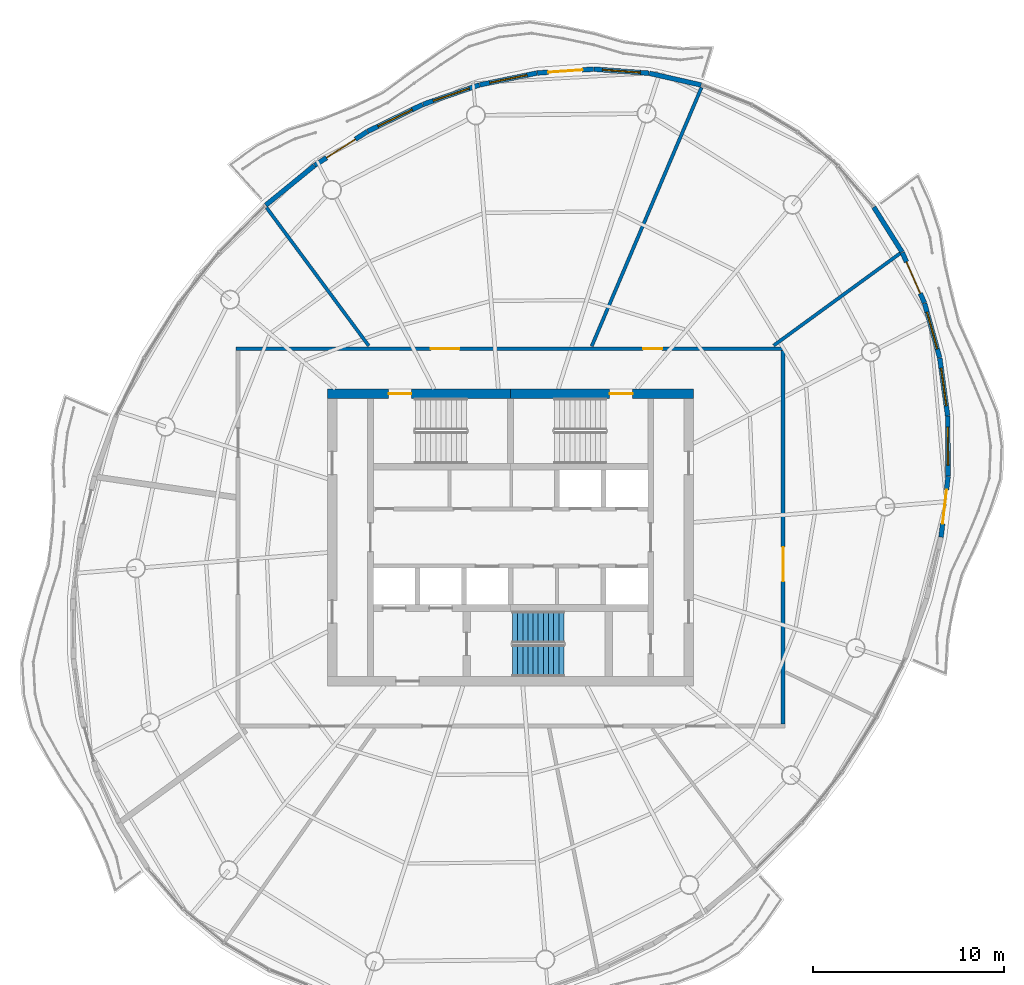
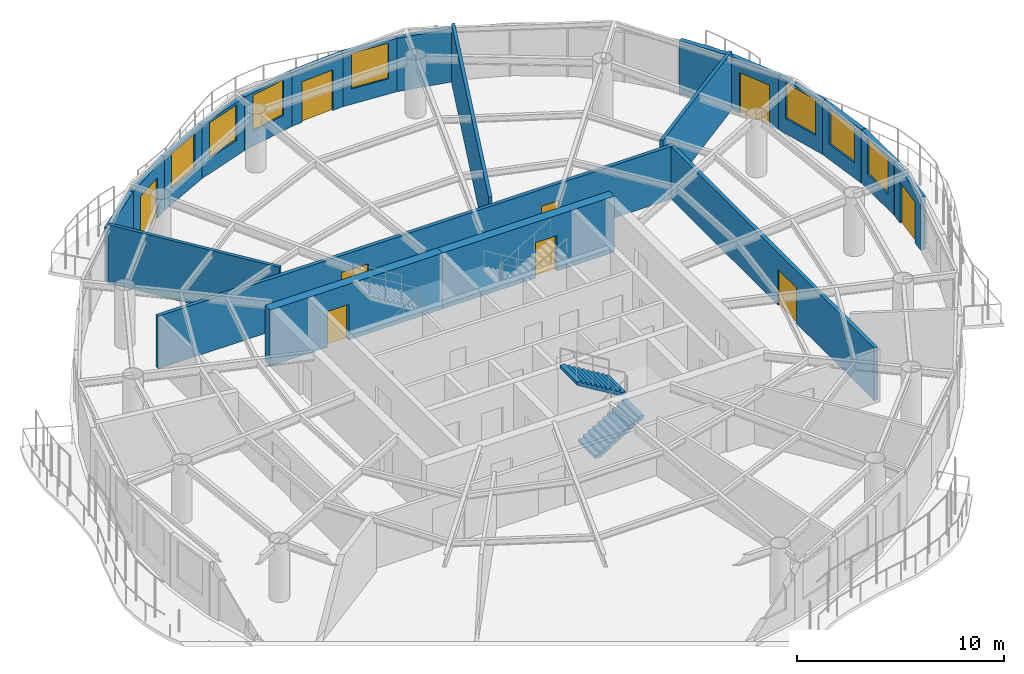
# One storey, part 10 of 14: 21 walls, 9 doors, 7 windows, 2 stair flights, 16 openings, 1 element without a shape of its own.
"""IFC4 building model written with IfcOpenShell, lengths in metres."""

from ifc_helpers import new_model, si_unit, direction, frame, frame_2d, origin, place, context, subcontext, project, spatial, polyline, rectangle, outline, extrude, material, layer, layer_set, type_object, element, fill, aggregate, save


model = new_model("IFC4")

# Units and contexts
model_context = context("Model", 3, precision=1e-05, world=origin(), true_north=direction((0.0, 1.0)))
body_context = subcontext(model_context, "Body", "Model", "MODEL_VIEW")
ifc_project = project(units=[si_unit("LENGTHUNIT", "METRE"), si_unit("AREAUNIT", "SQUARE_METRE"), si_unit("VOLUMEUNIT", "CUBIC_METRE"), si_unit("PLANEANGLEUNIT", "RADIAN"), si_unit("MASSUNIT", "GRAM", prefix="KILO")], contexts=[model_context])

# Site, building, storey
site_placement = place(None, origin())
site = spatial("IfcSite", under=ifc_project, at=site_placement, CompositionType="ELEMENT")
building_placement = place(site_placement, origin())
building = spatial("IfcBuilding", under=site, at=building_placement, Name="Vermilion Reach Broadcast Tower", CompositionType="ELEMENT")
storey_placement = place(building_placement, frame((0.0, 0.0, 254.10009765625)))
storey = spatial("IfcBuildingStorey", under=building, at=storey_placement, Name="L62", CompositionType="ELEMENT", Elevation=254.10009765625)

# Wall, opening, door
ifc_material_1 = material(Name="Concrete C50", Category="concrete")
ifc_layer_1 = layer(ifc_material_1, 0.5)
ifc_layer_set_1 = layer_set([ifc_layer_1], Name="Core outer wall 500 mm Concrete C50")
wall_type_1 = type_object("IfcWallType", Name="Core outer wall 500 mm Concrete C50", PredefinedType="SHEAR", material=ifc_layer_set_1)
wall_1_placement = place(storey_placement, frame((3.60009765625, 7.550048828125, 0.0), z_axis=(0.0, 0.0, 1.0), x_axis=(-1.0, 0.0, 0.0)))
wall_1 = element("IfcWall", 1, at=wall_1_placement, inside=storey, type_object=wall_type_1, Name="L62 core wall onE", PredefinedType="SHEAR", context=body_context, shape_type="SweptSolid", body=[
    extrude(rectangle(XDim=9.60009765625, YDim=0.5, at=frame_2d((4.800048828125, 0.0))), origin(), (0.0, 0.0, 1.0), 3.2998046875),
])
opening_1_placement = place(wall_1_placement, frame((3.199951171875, 0.0, 0.0)))
opening_1 = element("IfcOpeningElement", 2, at=opening_1_placement, cuts=wall_1, Name="Opening D01", PredefinedType="OPENING", context=body_context, shape_type="SweptSolid", body=[
    extrude(rectangle(XDim=1.199951171875, YDim=2.10009765625, at=frame_2d((0.60009765625, 1.050048828125))), frame((0.0, 0.260009765625, 0.0), z_axis=(0.0, -1.0, 0.0), x_axis=(1.0, 0.0, 0.0)), (0.0, 0.0, 1.0), 0.52001953125),
])
ifc_material_2 = material(Name="Painted steel fire door", Category="steel")
door_type_1 = type_object("IfcDoorType", Name="Stair door 1200 x 2100", OperationType="DOUBLE_DOOR_SINGLE_SWING", PredefinedType="NOTDEFINED", material=ifc_material_2)
door_1_placement = place(opening_1_placement, origin())
door_1 = element("IfcDoor", 3, at=door_1_placement, inside=storey, type_object=door_type_1, Name="L62 stair door ST2", OperationType="DOUBLE_DOOR_SINGLE_SWING", OverallHeight=2.10009765625, OverallWidth=1.199951171875, PredefinedType="NOTDEFINED", context=body_context, shape_type="SweptSolid", body=[
    extrude(rectangle(XDim=1.199951171875, YDim=2.10009765625, at=frame_2d((0.60009765625, 1.050048828125))), frame((0.0, 0.02490234375, 0.0), z_axis=(0.0, -1.0, 0.0), x_axis=(1.0, 0.0, 0.0)), (0.0, 0.0, 1.0), 0.050048828125),
])
fill(opening_1, door_1)

wall_2_placement = place(storey_placement, frame((-6.0, 7.550048828125, 0.0), z_axis=(0.0, 0.0, 1.0), x_axis=(-1.0, 0.0, 0.0)))
wall_2 = element("IfcWall", 4, at=wall_2_placement, inside=storey, type_object=wall_type_1, Name="L62 core wall onW", PredefinedType="SHEAR", context=body_context, shape_type="SweptSolid", body=[
    extrude(rectangle(XDim=9.60009765625, YDim=0.5, at=frame_2d((4.800048828125, 0.0))), origin(), (0.0, 0.0, 1.0), 3.2998046875),
])
opening_2_placement = place(wall_2_placement, frame((5.199951171875, 0.0, 0.0)))
opening_2 = element("IfcOpeningElement", 5, at=opening_2_placement, cuts=wall_2, Name="Opening D01", PredefinedType="OPENING", context=body_context, shape_type="SweptSolid", body=[
    extrude(rectangle(XDim=1.199951171875, YDim=2.10009765625, at=frame_2d((0.60009765625, 1.050048828125))), frame((0.0, 0.260009765625, 0.0), z_axis=(0.0, -1.0, 0.0), x_axis=(1.0, 0.0, 0.0)), (0.0, 0.0, 1.0), 0.52001953125),
])
door_2_placement = place(opening_2_placement, origin())
door_2 = element("IfcDoor", 6, at=door_2_placement, inside=storey, type_object=door_type_1, Name="L62 stair door ST1", OperationType="DOUBLE_DOOR_SINGLE_SWING", OverallHeight=2.10009765625, OverallWidth=1.199951171875, PredefinedType="NOTDEFINED", context=body_context, shape_type="SweptSolid", body=[
    extrude(rectangle(XDim=1.199951171875, YDim=2.10009765625, at=frame_2d((0.60009765625, 1.050048828125))), frame((0.0, 0.02490234375, 0.0), z_axis=(0.0, -1.0, 0.0), x_axis=(1.0, 0.0, 0.0)), (0.0, 0.0, 1.0), 0.050048828125),
])
fill(opening_2, door_2)

# Walls
ifc_material_3 = material(Name="Fire-rated block, plastered")
ifc_layer_2 = layer(ifc_material_3, 0.175048828125)
ifc_layer_set_2 = layer_set([ifc_layer_2], Name="Partition 175 fire-rated block")
wall_type_2 = type_object("IfcWallType", Name="Partition 175 fire-rated block", PredefinedType="PARTITIONING", material=ifc_layer_set_2)
wall_3_placement = place(storey_placement, frame((4.017822265625, 23.611083984375, 0.0), z_axis=(0.0, 0.0, 1.0), x_axis=(-0.390584280832, -0.920567172762, 0.0)))
element("IfcWall", 7, at=wall_3_placement, inside=storey, type_object=wall_type_2, Name="Partition 62.01", PredefinedType="PARTITIONING", context=body_context, shape_type="SweptSolid", body=[
    extrude(rectangle(XDim=14.748291015625, YDim=0.175048828125, at=frame_2d((7.3740234375, 0.0))), origin(), (0.0, 0.0, 1.0), 3.449951171875),
])
wall_4_placement = place(storey_placement, frame((-18.80712890625, 17.307861328125, 0.0), z_axis=(0.0, 0.0, 1.0), x_axis=(0.594811545717, -0.803865178423, 0.0)))
element("IfcWall", 8, at=wall_4_placement, inside=storey, type_object=wall_type_2, Name="Partition 62.02", PredefinedType="PARTITIONING", context=body_context, shape_type="SweptSolid", body=[
    extrude(rectangle(XDim=9.026123046875, YDim=0.175048828125, at=frame_2d((4.51318359375, 0.0))), origin(), (0.0, 0.0, 1.0), 3.449951171875),
])
wall_5_placement = place(storey_placement, frame((14.4404296875, 14.9091796875, 0.0), z_axis=(0.0, 0.0, 1.0), x_axis=(-0.807914917883, -0.589299147685, 0.0)))
element("IfcWall", 9, at=wall_5_placement, inside=storey, type_object=wall_type_2, Name="Partition 62.09", PredefinedType="PARTITIONING", context=body_context, shape_type="SweptSolid", body=[
    extrude(rectangle(XDim=8.21044921875, YDim=0.175048828125, at=frame_2d((4.105224609375, 0.0))), origin(), (0.0, 0.0, 1.0), 3.449951171875),
])
ifc_material_4 = material(Name="Terracotta rainscreen cladding", Category="masonry")
ifc_layer_3 = layer(ifc_material_4, 0.25)
ifc_layer_set_3 = layer_set([ifc_layer_3], Name="Terracotta rainscreen wall 250")
wall_type_3 = type_object("IfcWallType", Name="Terracotta rainscreen wall 250", PredefinedType="SOLIDWALL", material=ifc_layer_set_3)
wall_6_placement = place(storey_placement, frame((4.0009765625, 23.74267578125, 0.0), z_axis=(0.0, 0.0, 1.0), x_axis=(-0.975244788098, 0.221128024654, 0.0)))
element("IfcWall", 10, at=wall_6_placement, inside=storey, type_object=wall_type_3, Name="External wall L62 02", PredefinedType="SOLIDWALL", context=body_context, shape_type="SweptSolid", body=[
    extrude(rectangle(XDim=2.7822265625, YDim=0.25, at=frame_2d((1.39111328125, 0.0))), origin(), (0.0, 0.0, 1.0), 3.14990234375),
])

# Wall, opening, window
wall_7_placement = place(storey_placement, frame((1.26123046875, 24.36181640625, 0.0), z_axis=(0.0, 0.0, 1.0), x_axis=(-0.997260599476, 0.073968214338, 0.0)))
wall_7 = element("IfcWall", 11, at=wall_7_placement, inside=storey, type_object=wall_type_3, Name="External wall L62 03", PredefinedType="SOLIDWALL", context=body_context, shape_type="SweptSolid", body=[
    extrude(rectangle(XDim=2.887939453125, YDim=0.25, at=frame_2d((1.44384765625, 0.0))), origin(), (0.0, 0.0, 1.0), 3.14990234375),
])
opening_3_placement = place(wall_7_placement, frame((0.444091796875, 0.0, 0.89990234375)))
opening_3 = element("IfcOpeningElement", 12, at=opening_3_placement, cuts=wall_7, Name="Opening W03", PredefinedType="OPENING", context=body_context, shape_type="SweptSolid", body=[
    extrude(rectangle(XDim=2.0, YDim=2.10009765625, at=frame_2d((1.0, 1.050048828125))), frame((0.0, 0.135009765625, 0.0), z_axis=(0.0, -1.0, 0.0), x_axis=(1.0, 0.0, 0.0)), (0.0, 0.0, 1.0), 0.27001953125),
])
ifc_material_5 = material(Name="Low-e laminated clear glass in aluminium frame", Category="aluminium")
window_type = type_object("IfcWindowType", Name="Punched window 2000 x 2100 sill 900", PartitioningType="SINGLE_PANEL", PredefinedType="WINDOW", material=ifc_material_5)
window_1_placement = place(opening_3_placement, origin())
window_1 = element("IfcWindow", 13, at=window_1_placement, inside=storey, type_object=window_type, Name="Window L62 03", OverallHeight=2.10009765625, OverallWidth=2.0, PartitioningType="SINGLE_PANEL", PredefinedType="WINDOW", context=body_context, shape_type="SweptSolid", body=[
    extrude(rectangle(XDim=2.0, YDim=2.10009765625, at=frame_2d((1.0, 1.050048828125))), frame((0.0, 0.030029296875, 0.0), z_axis=(0.0, -1.0, 0.0), x_axis=(1.0, 0.0, 0.0)), (0.0, 0.0, 1.0), 0.06005859375),
])
fill(opening_3, window_1)

# Wall, opening, door
wall_8_placement = place(storey_placement, frame((-1.64453125, 24.575439453125, 0.0), z_axis=(0.0, 0.0, 1.0), x_axis=(-0.99766702353, -0.068267929221, 0.0)))
wall_8 = element("IfcWall", 14, at=wall_8_placement, inside=storey, type_object=wall_type_3, Name="External wall L62 04", PredefinedType="SOLIDWALL", context=body_context, shape_type="SweptSolid", body=[
    extrude(rectangle(XDim=2.964599609375, YDim=0.25, at=frame_2d((1.482421875, 0.0))), origin(), (0.0, 0.0, 1.0), 3.14990234375),
])
opening_4_placement = place(wall_8_placement, frame((0.58203125, 0.0, 0.0)))
opening_4 = element("IfcOpeningElement", 15, at=opening_4_placement, cuts=wall_8, Name="Opening D70", PredefinedType="OPENING", context=body_context, shape_type="SweptSolid", body=[
    extrude(rectangle(XDim=1.800048828125, YDim=2.39990234375, at=frame_2d((0.89990234375, 1.199951171875))), frame((0.0, 0.135009765625, 0.0), z_axis=(0.0, -1.0, 0.0), x_axis=(1.0, 0.0, 0.0)), (0.0, 0.0, 1.0), 0.27001953125),
])
ifc_material_6 = material(Name="Low-e laminated clear glass in aluminium frame", Category="aluminium")
door_type_2 = type_object("IfcDoorType", Name="Balcony sliding door 1800 x 2400", OperationType="DOUBLE_DOOR_SLIDING", PredefinedType="DOOR", material=ifc_material_6)
door_3_placement = place(opening_4_placement, origin())
door_3 = element("IfcDoor", 16, at=door_3_placement, inside=storey, type_object=door_type_2, Name="Balcony door L62 run 01", OperationType="DOUBLE_DOOR_SLIDING", OverallHeight=2.39990234375, OverallWidth=1.800048828125, PredefinedType="DOOR", context=body_context, shape_type="SweptSolid", body=[
    extrude(rectangle(XDim=1.800048828125, YDim=2.39990234375, at=frame_2d((0.89990234375, 1.199951171875))), frame((0.0, 0.02490234375, 0.0), z_axis=(0.0, -1.0, 0.0), x_axis=(1.0, 0.0, 0.0)), (0.0, 0.0, 1.0), 0.050048828125),
])
fill(opening_4, door_3)

# Wall, opening, window
wall_9_placement = place(storey_placement, frame((-4.626953125, 24.36962890625, 0.0), z_axis=(0.0, 0.0, 1.0), x_axis=(-0.979363870878, -0.202104944072, 0.0)))
wall_9 = element("IfcWall", 17, at=wall_9_placement, inside=storey, type_object=wall_type_3, Name="External wall L62 05", PredefinedType="SOLIDWALL", context=body_context, shape_type="SweptSolid", body=[
    extrude(rectangle(XDim=3.0478515625, YDim=0.25, at=frame_2d((1.52392578125, 0.0))), origin(), (0.0, 0.0, 1.0), 3.14990234375),
])
opening_5_placement = place(wall_9_placement, frame((0.52392578125, 0.0, 0.89990234375)))
opening_5 = element("IfcOpeningElement", 18, at=opening_5_placement, cuts=wall_9, Name="Opening W03", PredefinedType="OPENING", context=body_context, shape_type="SweptSolid", body=[
    extrude(rectangle(XDim=2.0, YDim=2.10009765625, at=frame_2d((1.0, 1.050048828125))), frame((0.0, 0.135009765625, 0.0), z_axis=(0.0, -1.0, 0.0), x_axis=(1.0, 0.0, 0.0)), (0.0, 0.0, 1.0), 0.27001953125),
])
window_2_placement = place(opening_5_placement, origin())
window_2 = element("IfcWindow", 19, at=window_2_placement, inside=storey, type_object=window_type, Name="Window L62 05", OverallHeight=2.10009765625, OverallWidth=2.0, PartitioningType="SINGLE_PANEL", PredefinedType="WINDOW", context=body_context, shape_type="SweptSolid", body=[
    extrude(rectangle(XDim=2.0, YDim=2.10009765625, at=frame_2d((1.0, 1.050048828125))), frame((0.0, 0.030029296875, 0.0), z_axis=(0.0, -1.0, 0.0), x_axis=(1.0, 0.0, 0.0)), (0.0, 0.0, 1.0), 0.06005859375),
])
fill(opening_5, window_2)

wall_10_placement = place(storey_placement, frame((-7.635009765625, 23.747314453125, 0.0), z_axis=(0.0, 0.0, 1.0), x_axis=(-0.945414397725, -0.325870551867, 0.0)))
wall_10 = element("IfcWall", 20, at=wall_10_placement, inside=storey, type_object=wall_type_3, Name="External wall L62 06", PredefinedType="SOLIDWALL", context=body_context, shape_type="SweptSolid", body=[
    extrude(rectangle(XDim=3.131591796875, YDim=0.25, at=frame_2d((1.56591796875, 0.0))), origin(), (0.0, 0.0, 1.0), 3.14990234375),
])
opening_6_placement = place(wall_10_placement, frame((0.565673828125, 0.0, 0.89990234375)))
opening_6 = element("IfcOpeningElement", 21, at=opening_6_placement, cuts=wall_10, Name="Opening W03", PredefinedType="OPENING", context=body_context, shape_type="SweptSolid", body=[
    extrude(rectangle(XDim=2.0, YDim=2.10009765625, at=frame_2d((1.0, 1.050048828125))), frame((0.0, 0.135009765625, 0.0), z_axis=(0.0, -1.0, 0.0), x_axis=(1.0, 0.0, 0.0)), (0.0, 0.0, 1.0), 0.27001953125),
])
window_3_placement = place(opening_6_placement, origin())
window_3 = element("IfcWindow", 22, at=window_3_placement, inside=storey, type_object=window_type, Name="Window L62 06", OverallHeight=2.10009765625, OverallWidth=2.0, PartitioningType="SINGLE_PANEL", PredefinedType="WINDOW", context=body_context, shape_type="SweptSolid", body=[
    extrude(rectangle(XDim=2.0, YDim=2.10009765625, at=frame_2d((1.0, 1.050048828125))), frame((0.0, 0.030029296875, 0.0), z_axis=(0.0, -1.0, 0.0), x_axis=(1.0, 0.0, 0.0)), (0.0, 0.0, 1.0), 0.06005859375),
])
fill(opening_6, window_3)

wall_11_placement = place(storey_placement, frame((-10.6171875, 22.7177734375, 0.0), z_axis=(0.0, 0.0, 1.0), x_axis=(-0.898675594267, -0.438613926214, 0.0)))
wall_11 = element("IfcWall", 23, at=wall_11_placement, inside=storey, type_object=wall_type_3, Name="External wall L62 07", PredefinedType="SOLIDWALL", context=body_context, shape_type="SweptSolid", body=[
    extrude(rectangle(XDim=3.2099609375, YDim=0.25, at=frame_2d((1.60498046875, 0.0))), origin(), (0.0, 0.0, 1.0), 3.14990234375),
])
opening_7_placement = place(wall_11_placement, frame((0.60498046875, 0.0, 0.89990234375)))
opening_7 = element("IfcOpeningElement", 24, at=opening_7_placement, cuts=wall_11, Name="Opening W03", PredefinedType="OPENING", context=body_context, shape_type="SweptSolid", body=[
    extrude(rectangle(XDim=2.0, YDim=2.10009765625, at=frame_2d((1.0, 1.050048828125))), frame((0.0, 0.135009765625, 0.0), z_axis=(0.0, -1.0, 0.0), x_axis=(1.0, 0.0, 0.0)), (0.0, 0.0, 1.0), 0.27001953125),
])
window_4_placement = place(opening_7_placement, origin())
window_4 = element("IfcWindow", 25, at=window_4_placement, inside=storey, type_object=window_type, Name="Window L62 07", OverallHeight=2.10009765625, OverallWidth=2.0, PartitioningType="SINGLE_PANEL", PredefinedType="WINDOW", context=body_context, shape_type="SweptSolid", body=[
    extrude(rectangle(XDim=2.0, YDim=2.10009765625, at=frame_2d((1.0, 1.050048828125))), frame((0.0, 0.030029296875, 0.0), z_axis=(0.0, -1.0, 0.0), x_axis=(1.0, 0.0, 0.0)), (0.0, 0.0, 1.0), 0.06005859375),
])
fill(opening_7, window_4)

# Wall, opening, door
wall_12_placement = place(storey_placement, frame((-13.521728515625, 21.298583984375, 0.0), z_axis=(0.0, 0.0, 1.0), x_axis=(-0.841357447224, -0.540479089328, 0.0)))
wall_12 = element("IfcWall", 26, at=wall_12_placement, inside=storey, type_object=wall_type_3, Name="External wall L62 08", PredefinedType="SOLIDWALL", context=body_context, shape_type="SweptSolid", body=[
    extrude(rectangle(XDim=3.279052734375, YDim=0.25, at=frame_2d((1.6396484375, 0.0))), origin(), (0.0, 0.0, 1.0), 3.14990234375),
])
opening_8_placement = place(wall_12_placement, frame((0.739990234375, 0.0, 0.0)))
opening_8 = element("IfcOpeningElement", 27, at=opening_8_placement, cuts=wall_12, Name="Opening D70", PredefinedType="OPENING", context=body_context, shape_type="SweptSolid", body=[
    extrude(rectangle(XDim=1.800048828125, YDim=2.39990234375, at=frame_2d((0.89990234375, 1.199951171875))), frame((0.0, 0.135009765625, 0.0), z_axis=(0.0, -1.0, 0.0), x_axis=(1.0, 0.0, 0.0)), (0.0, 0.0, 1.0), 0.27001953125),
])
door_4_placement = place(opening_8_placement, origin())
door_4 = element("IfcDoor", 28, at=door_4_placement, inside=storey, type_object=door_type_2, Name="Balcony door L62 run 02", OperationType="DOUBLE_DOOR_SLIDING", OverallHeight=2.39990234375, OverallWidth=1.800048828125, PredefinedType="DOOR", context=body_context, shape_type="SweptSolid", body=[
    extrude(rectangle(XDim=1.800048828125, YDim=2.39990234375, at=frame_2d((0.89990234375, 1.199951171875))), frame((0.0, 0.02490234375, 0.0), z_axis=(0.0, -1.0, 0.0), x_axis=(1.0, 0.0, 0.0)), (0.0, 0.0, 1.0), 0.050048828125),
])
fill(opening_8, door_4)

# Wall
wall_13_placement = place(storey_placement, frame((-16.29833984375, 19.513427734375, 0.0), z_axis=(0.0, 0.0, 1.0), x_axis=(-0.775212105866, -0.631701029696, 0.0)))
element("IfcWall", 29, at=wall_13_placement, inside=storey, type_object=wall_type_3, Name="External wall L62 09", PredefinedType="SOLIDWALL", context=body_context, shape_type="SweptSolid", body=[
    extrude(rectangle(XDim=3.2900390625, YDim=0.25, at=frame_2d((1.64501953125, 0.0))), origin(), (0.0, 0.0, 1.0), 3.14990234375),
])

# Wall, opening, door
wall_14_placement = place(storey_placement, frame((16.591552734375, 0.01806640625, 0.0), z_axis=(0.0, 0.0, 1.0), x_axis=(0.114612561175, 0.993410268127, 0.0)))
wall_14 = element("IfcWall", 30, at=wall_14_placement, inside=storey, type_object=wall_type_3, Name="External wall L62 40", PredefinedType="SOLIDWALL", context=body_context, shape_type="SweptSolid", body=[
    extrude(rectangle(XDim=3.210205078125, YDim=0.25, at=frame_2d((1.60498046875, 0.0))), origin(), (0.0, 0.0, 1.0), 3.14990234375),
])
opening_9_placement = place(wall_14_placement, frame((0.705078125, 0.0, 0.0)))
opening_9 = element("IfcOpeningElement", 31, at=opening_9_placement, cuts=wall_14, Name="Opening D70", PredefinedType="OPENING", context=body_context, shape_type="SweptSolid", body=[
    extrude(rectangle(XDim=1.800048828125, YDim=2.39990234375, at=frame_2d((0.89990234375, 1.199951171875))), frame((0.0, 0.135009765625, 0.0), z_axis=(0.0, -1.0, 0.0), x_axis=(1.0, 0.0, 0.0)), (0.0, 0.0, 1.0), 0.27001953125),
])
door_5_placement = place(opening_9_placement, origin())
door_5 = element("IfcDoor", 32, at=door_5_placement, inside=storey, type_object=door_type_2, Name="Balcony door L62 run 10", OperationType="DOUBLE_DOOR_SLIDING", OverallHeight=2.39990234375, OverallWidth=1.800048828125, PredefinedType="DOOR", context=body_context, shape_type="SweptSolid", body=[
    extrude(rectangle(XDim=1.800048828125, YDim=2.39990234375, at=frame_2d((0.89990234375, 1.199951171875))), frame((0.0, 0.02490234375, 0.0), z_axis=(0.0, -1.0, 0.0), x_axis=(1.0, 0.0, 0.0)), (0.0, 0.0, 1.0), 0.050048828125),
])
fill(opening_9, door_5)

# Wall, opening, window
wall_15_placement = place(storey_placement, frame((16.960693359375, 3.230224609375, 0.0), z_axis=(0.0, 0.0, 1.0), x_axis=(-0.007406626712, 0.999972570564, 0.0)))
wall_15 = element("IfcWall", 33, at=wall_15_placement, inside=storey, type_object=wall_type_3, Name="External wall L62 41", PredefinedType="SOLIDWALL", context=body_context, shape_type="SweptSolid", body=[
    extrude(rectangle(XDim=3.13134765625, YDim=0.25, at=frame_2d((1.565673828125, 0.0))), origin(), (0.0, 0.0, 1.0), 3.14990234375),
])
opening_10_placement = place(wall_15_placement, frame((0.565673828125, 0.0, 0.89990234375)))
opening_10 = element("IfcOpeningElement", 34, at=opening_10_placement, cuts=wall_15, Name="Opening W03", PredefinedType="OPENING", context=body_context, shape_type="SweptSolid", body=[
    extrude(rectangle(XDim=2.0, YDim=2.10009765625, at=frame_2d((1.0, 1.050048828125))), frame((0.0, 0.135009765625, 0.0), z_axis=(0.0, -1.0, 0.0), x_axis=(1.0, 0.0, 0.0)), (0.0, 0.0, 1.0), 0.27001953125),
])
window_5_placement = place(opening_10_placement, origin())
window_5 = element("IfcWindow", 35, at=window_5_placement, inside=storey, type_object=window_type, Name="Window L62 41", OverallHeight=2.10009765625, OverallWidth=2.0, PartitioningType="SINGLE_PANEL", PredefinedType="WINDOW", context=body_context, shape_type="SweptSolid", body=[
    extrude(rectangle(XDim=2.0, YDim=2.10009765625, at=frame_2d((1.0, 1.050048828125))), frame((0.0, 0.030029296875, 0.0), z_axis=(0.0, -1.0, 0.0), x_axis=(1.0, 0.0, 0.0)), (0.0, 0.0, 1.0), 0.06005859375),
])
fill(opening_10, window_5)

wall_16_placement = place(storey_placement, frame((16.935791015625, 6.3857421875, 0.0), z_axis=(0.0, 0.0, 1.0), x_axis=(-0.135295507902, 0.990805291438, 0.0)))
wall_16 = element("IfcWall", 36, at=wall_16_placement, inside=storey, type_object=wall_type_3, Name="External wall L62 42", PredefinedType="SOLIDWALL", context=body_context, shape_type="SweptSolid", body=[
    extrude(rectangle(XDim=3.0478515625, YDim=0.25, at=frame_2d((1.52392578125, 0.0))), origin(), (0.0, 0.0, 1.0), 3.14990234375),
])
opening_11_placement = place(wall_16_placement, frame((0.52392578125, 0.0, 0.89990234375)))
opening_11 = element("IfcOpeningElement", 37, at=opening_11_placement, cuts=wall_16, Name="Opening W03", PredefinedType="OPENING", context=body_context, shape_type="SweptSolid", body=[
    extrude(rectangle(XDim=2.0, YDim=2.10009765625, at=frame_2d((1.0, 1.050048828125))), frame((0.0, 0.135009765625, 0.0), z_axis=(0.0, -1.0, 0.0), x_axis=(1.0, 0.0, 0.0)), (0.0, 0.0, 1.0), 0.27001953125),
])
window_6_placement = place(opening_11_placement, origin())
window_6 = element("IfcWindow", 38, at=window_6_placement, inside=storey, type_object=window_type, Name="Window L62 42", OverallHeight=2.10009765625, OverallWidth=2.0, PartitioningType="SINGLE_PANEL", PredefinedType="WINDOW", context=body_context, shape_type="SweptSolid", body=[
    extrude(rectangle(XDim=2.0, YDim=2.10009765625, at=frame_2d((1.0, 1.050048828125))), frame((0.0, 0.030029296875, 0.0), z_axis=(0.0, -1.0, 0.0), x_axis=(1.0, 0.0, 0.0)), (0.0, 0.0, 1.0), 0.06005859375),
])
fill(opening_11, window_6)

wall_17_placement = place(storey_placement, frame((16.518310546875, 9.4296875, 0.0), z_axis=(0.0, 0.0, 1.0), x_axis=(-0.267622628511, 0.963523808065, 0.0)))
wall_17 = element("IfcWall", 39, at=wall_17_placement, inside=storey, type_object=wall_type_3, Name="External wall L62 43", PredefinedType="SOLIDWALL", context=body_context, shape_type="SweptSolid", body=[
    extrude(rectangle(XDim=2.96484375, YDim=0.25, at=frame_2d((1.482421875, 0.0))), origin(), (0.0, 0.0, 1.0), 3.14990234375),
])
opening_12_placement = place(wall_17_placement, frame((0.482421875, 0.0, 0.89990234375)))
opening_12 = element("IfcOpeningElement", 40, at=opening_12_placement, cuts=wall_17, Name="Opening W03", PredefinedType="OPENING", context=body_context, shape_type="SweptSolid", body=[
    extrude(rectangle(XDim=2.0, YDim=2.10009765625, at=frame_2d((1.0, 1.050048828125))), frame((0.0, 0.135009765625, 0.0), z_axis=(0.0, -1.0, 0.0), x_axis=(1.0, 0.0, 0.0)), (0.0, 0.0, 1.0), 0.27001953125),
])
window_7_placement = place(opening_12_placement, origin())
window_7 = element("IfcWindow", 41, at=window_7_placement, inside=storey, type_object=window_type, Name="Window L62 43", OverallHeight=2.10009765625, OverallWidth=2.0, PartitioningType="SINGLE_PANEL", PredefinedType="WINDOW", context=body_context, shape_type="SweptSolid", body=[
    extrude(rectangle(XDim=2.0, YDim=2.10009765625, at=frame_2d((1.0, 1.050048828125))), frame((0.0, 0.030029296875, 0.0), z_axis=(0.0, -1.0, 0.0), x_axis=(1.0, 0.0, 0.0)), (0.0, 0.0, 1.0), 0.06005859375),
])
fill(opening_12, window_7)

# Wall, opening, door
wall_18_placement = place(storey_placement, frame((15.71630859375, 12.310546875, 0.0), z_axis=(0.0, 0.0, 1.0), x_axis=(-0.401639105758, 0.915798028348, 0.0)))
wall_18 = element("IfcWall", 42, at=wall_18_placement, inside=storey, type_object=wall_type_3, Name="External wall L62 44", PredefinedType="SOLIDWALL", context=body_context, shape_type="SweptSolid", body=[
    extrude(rectangle(XDim=2.887939453125, YDim=0.25, at=frame_2d((1.44384765625, 0.0))), origin(), (0.0, 0.0, 1.0), 3.14990234375),
])
opening_13_placement = place(wall_18_placement, frame((0.5439453125, 0.0, 0.0)))
opening_13 = element("IfcOpeningElement", 43, at=opening_13_placement, cuts=wall_18, Name="Opening D70", PredefinedType="OPENING", context=body_context, shape_type="SweptSolid", body=[
    extrude(rectangle(XDim=1.800048828125, YDim=2.39990234375, at=frame_2d((0.89990234375, 1.199951171875))), frame((0.0, 0.135009765625, 0.0), z_axis=(0.0, -1.0, 0.0), x_axis=(1.0, 0.0, 0.0)), (0.0, 0.0, 1.0), 0.27001953125),
])
door_6_placement = place(opening_13_placement, origin())
door_6 = element("IfcDoor", 44, at=door_6_placement, inside=storey, type_object=door_type_2, Name="Balcony door L62 run 11", OperationType="DOUBLE_DOOR_SLIDING", OverallHeight=2.39990234375, OverallWidth=1.800048828125, PredefinedType="DOOR", context=body_context, shape_type="SweptSolid", body=[
    extrude(rectangle(XDim=1.800048828125, YDim=2.39990234375, at=frame_2d((0.89990234375, 1.199951171875))), frame((0.0, 0.02490234375, 0.0), z_axis=(0.0, -1.0, 0.0), x_axis=(1.0, 0.0, 0.0)), (0.0, 0.0, 1.0), 0.050048828125),
])
fill(opening_13, door_6)

# Wall
wall_19_placement = place(storey_placement, frame((14.5439453125, 14.978759765625, 0.0), z_axis=(0.0, 0.0, 1.0), x_axis=(-0.533094811272, 0.846055507751, 0.0)))
element("IfcWall", 45, at=wall_19_placement, inside=storey, type_object=wall_type_3, Name="External wall L62 45", PredefinedType="SOLIDWALL", context=body_context, shape_type="SweptSolid", body=[
    extrude(rectangle(XDim=2.78271484375, YDim=0.25, at=frame_2d((1.391357421875, 0.0))), origin(), (0.0, 0.0, 1.0), 3.14990234375),
])

# Wall, openings, doors
ifc_material_7 = material(Name="Fire-rated gypsum board partition")
ifc_layer_4 = layer(ifc_material_7, 0.199951171875)
ifc_layer_set_4 = layer_set([ifc_layer_4], Name="Under girder: Corridor wall 200 fire-rated")
wall_type_4 = type_object("IfcWallType", Name="Under girder: Corridor wall 200 fire-rated", PredefinedType="PARTITIONING", material=ifc_layer_set_4)
wall_20_placement = place(storey_placement, frame((-20.39990234375, 9.89990234375, 0.0), z_axis=(0.0, 0.0, 1.0), x_axis=(1.0, 0.0, 0.0)))
wall_20 = element("IfcWall", 46, at=wall_20_placement, inside=storey, type_object=wall_type_4, Name="Corridor wall 62.N", PredefinedType="PARTITIONING", context=body_context, shape_type="SweptSolid", body=[
    extrude(rectangle(XDim=28.7998046875, YDim=0.199951171875, at=frame_2d((14.39990234375, 0.0))), origin(), (0.0, 0.0, 1.0), 3.099853515625),
])
opening_14_placement = place(wall_20_placement, frame((10.218017578125, 0.0, 0.0)))
opening_14 = element("IfcOpeningElement", 47, at=opening_14_placement, cuts=wall_20, Name="Opening D24", PredefinedType="OPENING", context=body_context, shape_type="SweptSolid", body=[
    extrude(rectangle(XDim=1.5, YDim=2.10009765625, at=frame_2d((0.75, 1.050048828125))), frame((0.0, 0.10986328125, 0.0), z_axis=(0.0, -1.0, 0.0), x_axis=(1.0, 0.0, 0.0)), (0.0, 0.0, 1.0), 0.219970703125),
])
opening_15_placement = place(wall_20_placement, frame((21.35791015625, 0.0, 0.0)))
opening_15 = element("IfcOpeningElement", 48, at=opening_15_placement, cuts=wall_20, Name="Opening D20", PredefinedType="OPENING", context=body_context, shape_type="SweptSolid", body=[
    extrude(rectangle(XDim=1.0, YDim=2.10009765625, at=frame_2d((0.5, 1.050048828125))), frame((0.0, 0.10986328125, 0.0), z_axis=(0.0, -1.0, 0.0), x_axis=(1.0, 0.0, 0.0)), (0.0, 0.0, 1.0), 0.219970703125),
])
ifc_material_8 = material(Name="Timber door leaf", Category="wood")
door_type_3 = type_object("IfcDoorType", Name="Door pair 1500x2100", OperationType="NOTDEFINED", PredefinedType="DOOR", material=ifc_material_8)
door_7_placement = place(opening_14_placement, origin())
door_7 = element("IfcDoor", 49, at=door_7_placement, inside=storey, type_object=door_type_3, Name="Door 62.01", OperationType="DOUBLE_DOOR_SINGLE_SWING", OverallHeight=2.10009765625, OverallWidth=1.5, PredefinedType="DOOR", context=body_context, shape_type="SweptSolid", body=[
    extrude(rectangle(XDim=1.5, YDim=2.10009765625, at=frame_2d((0.75, 1.050048828125))), frame((0.0, 0.02490234375, 0.0), z_axis=(0.0, -1.0, 0.0), x_axis=(1.0, 0.0, 0.0)), (0.0, 0.0, 1.0), 0.050048828125),
])
fill(opening_14, door_7)
ifc_material_9 = material(Name="Timber door leaf", Category="wood")
door_type_4 = type_object("IfcDoorType", Name="Door single 1000x2100", OperationType="NOTDEFINED", PredefinedType="DOOR", material=ifc_material_9)
door_8_placement = place(opening_15_placement, origin())
door_8 = element("IfcDoor", 50, at=door_8_placement, inside=storey, type_object=door_type_4, Name="Door 62.09", OperationType="SINGLE_SWING_LEFT", OverallHeight=2.10009765625, OverallWidth=1.0, PredefinedType="DOOR", context=body_context, shape_type="SweptSolid", body=[
    extrude(rectangle(XDim=1.0, YDim=2.10009765625, at=frame_2d((0.5, 1.050048828125))), frame((0.0, 0.02490234375, 0.0), z_axis=(0.0, -1.0, 0.0), x_axis=(1.0, 0.0, 0.0)), (0.0, 0.0, 1.0), 0.050048828125),
])
fill(opening_15, door_8)

# Wall, opening, door
wall_21_placement = place(storey_placement, frame((8.300048828125, 9.800048828125, 0.0), z_axis=(0.0, 0.0, 1.0), x_axis=(0.0, -1.0, 0.0)))
wall_21 = element("IfcWall", 51, at=wall_21_placement, inside=storey, type_object=wall_type_4, Name="Corridor wall 62.E", PredefinedType="PARTITIONING", context=body_context, shape_type="SweptSolid", body=[
    extrude(rectangle(XDim=19.60009765625, YDim=0.199951171875, at=frame_2d((9.800048828125, 0.0))), origin(), (0.0, 0.0, 1.0), 3.099853515625),
])
opening_16_placement = place(wall_21_placement, frame((10.3017578125, 0.0, 0.0)))
opening_16 = element("IfcOpeningElement", 52, at=opening_16_placement, cuts=wall_21, Name="Opening D21", PredefinedType="OPENING", context=body_context, shape_type="SweptSolid", body=[
    extrude(rectangle(XDim=1.800048828125, YDim=2.10009765625, at=frame_2d((0.89990234375, 1.050048828125))), frame((0.0, 0.10986328125, 0.0), z_axis=(0.0, -1.0, 0.0), x_axis=(1.0, 0.0, 0.0)), (0.0, 0.0, 1.0), 0.219970703125),
])
ifc_material_10 = material(Name="Timber door leaf", Category="wood")
door_type_5 = type_object("IfcDoorType", Name="Door pair 1800x2100", OperationType="NOTDEFINED", PredefinedType="DOOR", material=ifc_material_10)
door_9_placement = place(opening_16_placement, origin())
door_9 = element("IfcDoor", 53, at=door_9_placement, inside=storey, type_object=door_type_5, Name="Door 62.08", OperationType="DOUBLE_DOOR_SINGLE_SWING", OverallHeight=2.10009765625, OverallWidth=1.800048828125, PredefinedType="DOOR", context=body_context, shape_type="SweptSolid", body=[
    extrude(rectangle(XDim=1.800048828125, YDim=2.10009765625, at=frame_2d((0.89990234375, 1.050048828125))), frame((0.0, 0.02490234375, 0.0), z_axis=(0.0, -1.0, 0.0), x_axis=(1.0, 0.0, 0.0)), (0.0, 0.0, 1.0), 0.050048828125),
])
fill(opening_16, door_9)

# Stair, stair flights
ifc_material_11 = material(Name="Concrete C40", Category="concrete")
stair_type = type_object("IfcStairType", Name="Exit stair RC 22 risers 164 mm", PredefinedType="HALF_TURN_STAIR", material=ifc_material_11)
stair_placement = place(storey_placement, origin())
stair = element("IfcStair", 54, at=stair_placement, inside=storey, type_object=stair_type, Name="L62 Exit stair ST3", PredefinedType="HALF_TURN_STAIR")
ifc_material_12 = material(Name="Concrete C40", Category="concrete")
stair_flight_type = type_object("IfcStairFlightType", Name="Exit stair flight RC 11 risers", PredefinedType="STRAIGHT", material=ifc_material_12)
stair_flight_1_placement = place(storey_placement, frame((-5.89990234375, -6.469970703125, 0.0), z_axis=(0.0, 0.0, 1.0), x_axis=(1.0, 0.0, 0.0)))
stair_flight_1 = element("IfcStairFlight", 55, at=stair_flight_1_placement, type_object=stair_flight_type, Name="ST3 flight 1", NumberOfRisers=11, NumberOfTreads=10, PredefinedType="STRAIGHT", RiserHeight=0.163636364, TreadLength=0.27, context=body_context, shape_type="SweptSolid", body=[
    extrude(outline(polyline([(0.0, 0.0), (0.0, 0.16357421875), (0.27001953125, 0.16357421875), (0.27001953125, 0.327392578125), (0.5400390625, 0.327392578125), (0.5400390625, 0.490966796875), (0.81005859375, 0.490966796875), (0.81005859375, 0.654541015625), (1.080078125, 0.654541015625), (1.080078125, 0.818115234375), (1.35009765625, 0.818115234375), (1.35009765625, 0.98193359375), (1.6201171875, 0.98193359375), (1.6201171875, 1.1455078125), (1.889892578125, 1.1455078125), (1.889892578125, 1.30908203125), (2.159912109375, 1.30908203125), (2.159912109375, 1.47265625), (2.429931640625, 1.47265625), (2.429931640625, 1.636474609375), (2.699951171875, 1.636474609375), (2.699951171875, 1.800048828125), (2.699951171875, 1.461181640625), (0.289306640625, 0.0), (0.0, 0.0)])), frame((0.0, 0.830078125, 0.0), z_axis=(0.0, -1.0, 0.0), x_axis=(1.0, 0.0, 0.0)), (0.0, 0.0, 1.0), 1.659912109375),
])
stair_flight_2_placement = place(storey_placement, frame((-3.199951171875, -4.7099609375, 1.7998046875), z_axis=(0.0, 0.0, 1.0), x_axis=(-1.0, 0.0, 0.0)))
stair_flight_2 = element("IfcStairFlight", 56, at=stair_flight_2_placement, type_object=stair_flight_type, Name="ST3 flight 2", NumberOfRisers=11, NumberOfTreads=10, PredefinedType="STRAIGHT", RiserHeight=0.163636364, TreadLength=0.27, context=body_context, shape_type="SweptSolid", body=[
    extrude(outline(polyline([(0.0, 0.0), (0.0, 0.16357421875), (0.27001953125, 0.16357421875), (0.27001953125, 0.327392578125), (0.5400390625, 0.327392578125), (0.5400390625, 0.490966796875), (0.81005859375, 0.490966796875), (0.81005859375, 0.654541015625), (1.080078125, 0.654541015625), (1.080078125, 0.818115234375), (1.35009765625, 0.818115234375), (1.35009765625, 0.98193359375), (1.6201171875, 0.98193359375), (1.6201171875, 1.1455078125), (1.889892578125, 1.1455078125), (1.889892578125, 1.30908203125), (2.159912109375, 1.30908203125), (2.159912109375, 1.47265625), (2.429931640625, 1.47265625), (2.429931640625, 1.636474609375), (2.699951171875, 1.636474609375), (2.699951171875, 1.800048828125), (2.699951171875, 1.461181640625), (0.289306640625, 0.0), (0.0, 0.0)])), frame((0.0, 0.830078125, 0.0), z_axis=(0.0, -1.0, 0.0), x_axis=(1.0, 0.0, 0.0)), (0.0, 0.0, 1.0), 1.659912109375),
])
aggregate(stair, [stair_flight_1, stair_flight_2])

save(model, "model.ifc")
